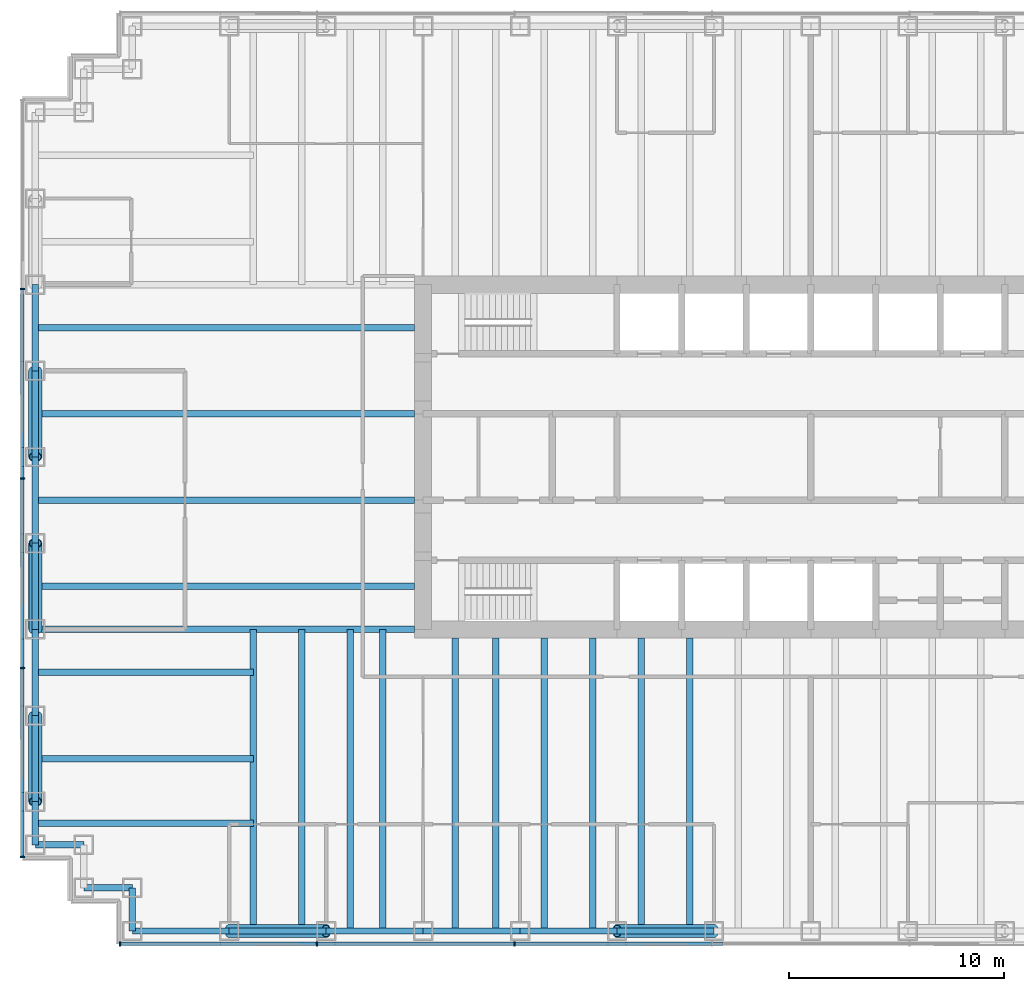
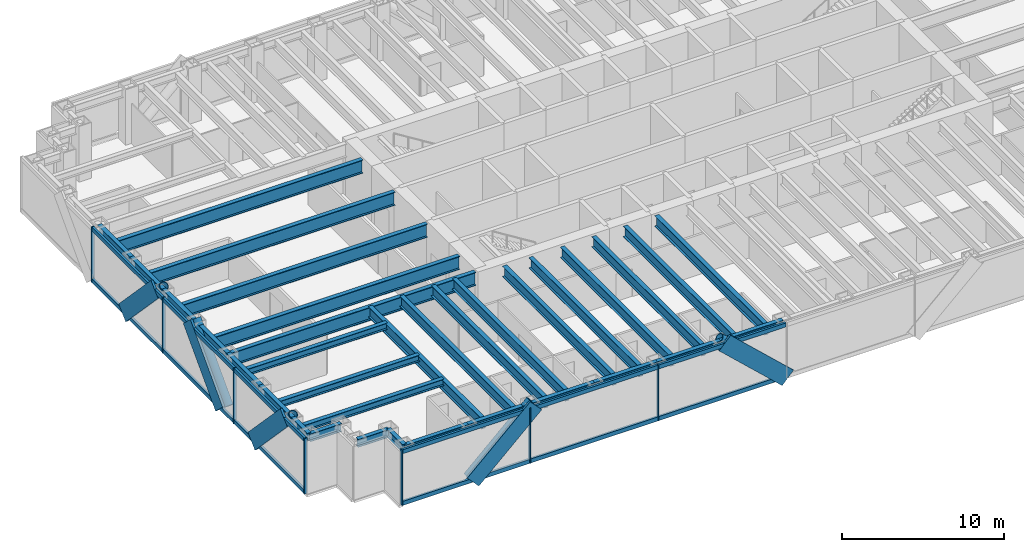
# One storey, part 2 of 15: 34 beams, 29 members, 2 elements without a shape of their own.
"""IFC4 building model written with IfcOpenShell, lengths in metres."""

import ifcopenshell
import ifcopenshell.guid

model = None  # the IFC model being written
_history = None  # IfcOwnerHistory: only IFC2X3 demands one
_inside = {}  # id of a spatial element -> (the spatial element, [elements in it])
_under = {}  # id of a project, library or spatial element -> (it, [spatial elements below it])
_declared = {}  # id of a project -> (the project, [libraries it declares])
_typed = {}  # id of a type object -> (the type object, [elements of that type])
_made_of = {}  # id of a material, layer set ... -> (it, [elements and type objects made of it])


def new_model(schema):
    """Start an empty IFC model of exactly this schema.

    Asked for "IFC4X3", IfcOpenShell would pick the latest addendum, in which some entities
    have other attributes; the version numbers below select the first issue.
    IFC2X3 requires an IfcOwnerHistory on every rooted entity: one is made here for all.
    """
    global model, _history
    if schema == "IFC4X3":
        model = ifcopenshell.file(schema_version=(4, 3, 0, 0))
    else:
        model = ifcopenshell.file(schema=schema)
    _inside.clear()
    _under.clear()
    _declared.clear()
    _typed.clear()
    _made_of.clear()
    _history = None
    if model.schema == "IFC2X3":
        org = make("IfcOrganization", Name="unknown")
        user = make(
            "IfcPersonAndOrganization",
            ThePerson=make("IfcPerson", FamilyName="unknown"),
            TheOrganization=org,
        )
        app = make(
            "IfcApplication",
            ApplicationDeveloper=org,
            Version="unknown",
            ApplicationFullName="unknown",
            ApplicationIdentifier="unknown",
        )
        _history = make(
            "IfcOwnerHistory",
            OwningUser=user,
            OwningApplication=app,
            ChangeAction="ADDED",
            CreationDate=0,
        )
    return model


def make(cls, **values):
    """One entity of the class cls with the attributes given. An attribute that is None is left unset."""
    return model.create_entity(
        cls, **{name: value for name, value in values.items() if value is not None}
    )


def rooted(cls, **values):
    """An entity with a GlobalId (a new one), such as an element, a storey or a relation."""
    return make(cls, GlobalId=ifcopenshell.guid.new(), OwnerHistory=_history, **values)


def si_unit(unit_type, name, prefix=None):
    """IfcSIUnit, for example si_unit("LENGTHUNIT", "METRE", prefix="MILLI")."""
    return make("IfcSIUnit", UnitType=unit_type, Prefix=prefix, Name=name)


def assignment(units):
    """IfcUnitAssignment: the units of a project."""
    return None if units is None else make("IfcUnitAssignment", Units=units)


def point(xyz):
    """IfcCartesianPoint."""
    return None if xyz is None else make("IfcCartesianPoint", Coordinates=xyz)


def direction(xyz):
    """IfcDirection."""
    return None if xyz is None else make("IfcDirection", DirectionRatios=xyz)


def frame(location, z_axis=None, x_axis=None):
    """IfcAxis2Placement3D, a coordinate frame: its origin and axes. An axis left out is left unset."""
    return make(
        "IfcAxis2Placement3D",
        Location=point(location),
        Axis=direction(z_axis),
        RefDirection=direction(x_axis),
    )


def frame_2d(location, x_axis=None):
    """IfcAxis2Placement2D, a coordinate frame in the plane: its origin and x axis."""
    return make(
        "IfcAxis2Placement2D", Location=point(location), RefDirection=direction(x_axis)
    )


def origin():
    """The frame at (0, 0, 0) with its axes left unset."""
    return frame((0.0, 0.0, 0.0))


def origin_2d():
    """The frame at (0, 0) in the plane with its x axis left unset."""
    return frame_2d((0.0, 0.0))


def place(relative_to, where):
    """IfcLocalPlacement: puts the frame where relative to a parent placement (None: the world)."""
    return make(
        "IfcLocalPlacement", PlacementRelTo=relative_to, RelativePlacement=where
    )


def context(
    kind, dimensions, precision=None, world=None, true_north=None, identifier=None
):
    """IfcGeometricRepresentationContext, for example the 3D "Model" context."""
    return make(
        "IfcGeometricRepresentationContext",
        ContextIdentifier=identifier,
        ContextType=kind,
        CoordinateSpaceDimension=dimensions,
        Precision=precision,
        WorldCoordinateSystem=world,
        TrueNorth=true_north,
    )


def subcontext(parent, identifier, kind, view, scale=None):
    """IfcGeometricRepresentationSubContext, for example "Body" below "Model"."""
    return make(
        "IfcGeometricRepresentationSubContext",
        ContextIdentifier=identifier,
        ContextType=kind,
        ParentContext=parent,
        TargetScale=scale,
        TargetView=view,
    )


def project(units=None, contexts=None):
    """IfcProject with its units and contexts."""
    return rooted(
        "IfcProject",
        Name="project",
        RepresentationContexts=contexts,
        UnitsInContext=assignment(units),
    )


def spatial(cls, under=None, at=None, **own):
    """A site, building, storey or space (cls), placed at a placement, below another one or the project."""
    s = rooted(cls, ObjectPlacement=at, **own)
    if under is not None:
        _under.setdefault(under.id(), (under, []))[1].append(s)
    return s


def profile(cls, at=None, kind="AREA", **sizes):
    """A parametric profile (cls). Its sizes go by their IFC names, for example OverallWidth=200.0."""
    return make(cls, ProfileType=kind, Position=at, **sizes)


def rectangle(**sizes):
    """IfcRectangleProfileDef."""
    return profile("IfcRectangleProfileDef", **sizes)


def hollow_circle(**sizes):
    """IfcCircleHollowProfileDef."""
    return profile("IfcCircleHollowProfileDef", **sizes)


def i_section(**sizes):
    """IfcIShapeProfileDef."""
    return profile("IfcIShapeProfileDef", **sizes)


def extrude(swept, where, along, depth):
    """IfcExtrudedAreaSolid: the profile swept, set in the frame where, extruded along a direction by depth."""
    return make(
        "IfcExtrudedAreaSolid",
        SweptArea=swept,
        Position=where,
        ExtrudedDirection=direction(along),
        Depth=depth,
    )


def shape(context_of_items, identifier, shape_type, items):
    """IfcShapeRepresentation: the items that make up one representation, for example the "Body"."""
    return make(
        "IfcShapeRepresentation",
        ContextOfItems=context_of_items,
        RepresentationIdentifier=identifier,
        RepresentationType=shape_type,
        Items=items,
    )


def material(Name=None, Category=None):
    """IfcMaterial."""
    return make("IfcMaterial", Name=Name, Category=Category)


def material_profile(
    of_material, cross_section, Name=None, Category=None, Priority=None
):
    """IfcMaterialProfile: a cross section and its material."""
    return make(
        "IfcMaterialProfile",
        Name=Name,
        Material=of_material,
        Profile=cross_section,
        Priority=Priority,
        Category=Category,
    )


def profile_set(profiles, Name=None, composite=None):
    """IfcMaterialProfileSet."""
    return make(
        "IfcMaterialProfileSet",
        Name=Name,
        MaterialProfiles=profiles,
        CompositeProfile=composite,
    )


def made_of(thing, what):
    """Note that an element or type object is made of a material, layer set ...; save() writes the relation."""
    if what is not None:
        _made_of.setdefault(what.id(), (what, []))[1].append(thing)
    return thing


def type_object(cls, material=None, **own):
    """A type object (cls), such as IfcWallType, which elements share."""
    return made_of(rooted(cls, **own), material)


def element(
    cls,
    number,
    at=None,
    inside=None,
    cuts=None,
    type_object=None,
    material=None,
    context=None,
    identifier="Body",
    shape_type=None,
    held_by="IfcProductDefinitionShape",
    body=None,
    shapes=None,
    **own,
):
    """One element of the class cls, such as IfcWall. Its Tag is "e" and its number.

    at: its placement. inside: the storey or other place that contains it. cuts: it is an
    opening in that element (IfcRelVoidsElement). A single representation is given by context,
    identifier, shape_type and body (its items); several are given by shapes. held_by: the class
    of the entity that holds the representations. save() writes the other relations.
    """
    e = rooted(cls, Tag="e%d" % number, ObjectPlacement=at, **own)
    if body is not None:
        shapes = [shape(context, identifier, shape_type, body)]
    if shapes is not None:
        e.Representation = make(held_by, Representations=shapes)
    if inside is not None:
        _inside.setdefault(inside.id(), (inside, []))[1].append(e)
    if cuts is not None:
        rooted(
            "IfcRelVoidsElement", RelatingBuildingElement=cuts, RelatedOpeningElement=e
        )
    if type_object is not None:
        _typed.setdefault(type_object.id(), (type_object, []))[1].append(e)
    return made_of(e, material)


def aggregate(whole, parts):
    """IfcRelAggregates: a whole, such as a stair, and the parts it consists of."""
    return rooted("IfcRelAggregates", RelatingObject=whole, RelatedObjects=parts)


def save(model, path):
    """Write the relations noted so far, then the file.

    IfcRelAggregates (storeys below a building ...), IfcRelContainedInSpatialStructure (elements
    in a storey), IfcRelDefinesByType, IfcRelAssociatesMaterial and IfcRelDeclares: one each for
    every whole, place, type object, material and project.
    """
    for whole, parts in _under.values():
        aggregate(whole, parts)
    for where, things in _inside.values():
        rooted(
            "IfcRelContainedInSpatialStructure",
            RelatedElements=things,
            RelatingStructure=where,
        )
    for kind, things in _typed.values():
        rooted("IfcRelDefinesByType", RelatedObjects=things, RelatingType=kind)
    for what, things in _made_of.values():
        rooted("IfcRelAssociatesMaterial", RelatedObjects=things, RelatingMaterial=what)
    for by, libraries in _declared.values():
        rooted("IfcRelDeclares", RelatingContext=by, RelatedDefinitions=libraries)
    model.write(path)


model = new_model("IFC4")

# Units and contexts
model_context = context("Model", 3, precision=1e-05, world=origin(), true_north=direction((0.0, 1.0)))
body_context = subcontext(model_context, "Body", "Model", "MODEL_VIEW")
ifc_project = project(units=[si_unit("LENGTHUNIT", "METRE"), si_unit("AREAUNIT", "SQUARE_METRE"), si_unit("VOLUMEUNIT", "CUBIC_METRE"), si_unit("PLANEANGLEUNIT", "RADIAN"), si_unit("MASSUNIT", "GRAM", prefix="KILO")], contexts=[model_context])

# Site, building, storey
site_placement = place(None, origin())
site = spatial("IfcSite", under=ifc_project, at=site_placement, CompositionType="ELEMENT")
building_placement = place(site_placement, origin())
building = spatial("IfcBuilding", under=site, at=building_placement, Name="Rheinbord Bourse Tower", CompositionType="ELEMENT")
storey_placement = place(building_placement, frame((0.0, 0.0, 248.800048828125)))
storey = spatial("IfcBuildingStorey", under=building, at=storey_placement, Name="L56", CompositionType="ELEMENT", Elevation=248.800048828125)

# Curtain wall, members
ifc_material_1 = material(Name="Dark glass and black aluminium", Category="aluminium")
curtain_wall_type = type_object("IfcCurtainWallType", Name="CW2 DARK GLASS CURTAIN WALL", PredefinedType="USERDEFINED", material=ifc_material_1)
curtain_wall_1_placement = place(storey_placement, origin())
curtain_wall_1 = element("IfcCurtainWall", 1, at=curtain_wall_1_placement, inside=storey, type_object=curtain_wall_type, Name="Curtain wall CW2 S L56", ObjectType="UNITISED CURTAIN WALL", PredefinedType="USERDEFINED")
ifc_material_2 = material(Name="Black anodised aluminium", Category="aluminium")
ifc_material_profile_1 = material_profile(ifc_material_2, rectangle(XDim=0.159912109375, YDim=1.2099609375, at=origin_2d()), Name="CW2 DIAGONAL MULLION 1210x160")
ifc_profile_set_1 = profile_set([ifc_material_profile_1], Name="Black anodised aluminium")
member_type_1 = type_object("IfcMemberType", Name="CW2 BLACK DIAGONAL MULLION", PredefinedType="USERDEFINED", material=ifc_profile_set_1)
member_1_placement = place(storey_placement, frame((9.0, 1.39990234375, 0.0), z_axis=(0.73105922506, 0.0, 0.682314010889), x_axis=(0.0, 1.0, 0.0)))
member_1 = element("IfcMember", 2, at=member_1_placement, type_object=member_type_1, Name="CW2 diagonal mullion a", ObjectType="DIAGONAL MULLION", PredefinedType="USERDEFINED", context=body_context, shape_type="SweptSolid", body=[
    extrude(rectangle(XDim=0.159912109375, YDim=1.2099609375, at=origin_2d()), origin(), (0.0, 0.0, 1.0), 6.155517578125),
])
member_2_placement = place(storey_placement, frame((31.5, 1.39990234375, 0.0), z_axis=(-0.73105922506, 0.0, 0.682314010889), x_axis=(0.0, -1.0, 0.0)))
member_2 = element("IfcMember", 3, at=member_2_placement, type_object=member_type_1, Name="CW2 diagonal mullion d", ObjectType="DIAGONAL MULLION", PredefinedType="USERDEFINED", context=body_context, shape_type="SweptSolid", body=[
    extrude(rectangle(XDim=0.159912109375, YDim=1.2099609375, at=origin_2d()), origin(), (0.0, 0.0, 1.0), 6.155517578125),
])

curtain_wall_2_placement = place(storey_placement, origin())
curtain_wall_2 = element("IfcCurtainWall", 4, at=curtain_wall_2_placement, inside=storey, type_object=curtain_wall_type, Name="Curtain wall CW2 W L56", ObjectType="UNITISED CURTAIN WALL", PredefinedType="USERDEFINED")
member_3_placement = place(storey_placement, frame((-0.60009765625, 16.0, 0.0), z_axis=(0.0, 0.689659376744, 0.724133926887), x_axis=(-1.0, 0.0, 0.0)))
member_3 = element("IfcMember", 5, at=member_3_placement, type_object=member_type_1, Name="CW2 diagonal mullion a", ObjectType="DIAGONAL MULLION", PredefinedType="USERDEFINED", context=body_context, shape_type="SweptSolid", body=[
    extrude(rectangle(XDim=0.159912109375, YDim=1.2099609375, at=origin_2d()), origin(), (0.0, 0.0, 1.0), 5.800048828125),
])
member_4_placement = place(storey_placement, frame((-0.60009765625, 28.0, 0.0), z_axis=(0.0, -0.689659376744, 0.724133926887), x_axis=(1.0, 0.0, 0.0)))
member_4 = element("IfcMember", 6, at=member_4_placement, type_object=member_type_1, Name="CW2 diagonal mullion b", ObjectType="DIAGONAL MULLION", PredefinedType="USERDEFINED", context=body_context, shape_type="SweptSolid", body=[
    extrude(rectangle(XDim=0.159912109375, YDim=1.2099609375, at=origin_2d()), origin(), (0.0, 0.0, 1.0), 5.800048828125),
])
member_5_placement = place(storey_placement, frame((-0.60009765625, 12.0, 0.0), z_axis=(0.0, -0.689659376744, 0.724133926887), x_axis=(1.0, 0.0, 0.0)))
member_5 = element("IfcMember", 7, at=member_5_placement, type_object=member_type_1, Name="CW2 diagonal mullion d", ObjectType="DIAGONAL MULLION", PredefinedType="USERDEFINED", context=body_context, shape_type="SweptSolid", body=[
    extrude(rectangle(XDim=0.159912109375, YDim=1.2099609375, at=origin_2d()), origin(), (0.0, 0.0, 1.0), 5.800048828125),
])

# Member
ifc_material_3 = material(Name="Black anodised aluminium", Category="aluminium")
ifc_material_profile_2 = material_profile(ifc_material_3, rectangle(XDim=0.219970703125, YDim=0.070068359375, at=origin_2d()), Name="CW2 MULLION 70x220")
ifc_profile_set_2 = profile_set([ifc_material_profile_2], Name="Black anodised aluminium")
member_type_2 = type_object("IfcMemberType", Name="CW2 BLACK MULLION", PredefinedType="MULLION", material=ifc_profile_set_2)
member_6_placement = place(storey_placement, frame((3.93505859375, 1.39990234375, 0.0), z_axis=(0.0, 0.0, 1.0), x_axis=(0.0, 1.0, 0.0)))
member_6 = element("IfcMember", 8, at=member_6_placement, type_object=member_type_2, Name="CW2 mullion 1", PredefinedType="MULLION", context=body_context, shape_type="SweptSolid", body=[
    extrude(rectangle(XDim=0.219970703125, YDim=0.070068359375, at=origin_2d()), origin(), (0.0, 0.0, 1.0), 4.199951171875),
])

member_7_placement = place(storey_placement, frame((13.071533203125, 1.39990234375, 0.0), z_axis=(0.0, 0.0, 1.0), x_axis=(0.0, 1.0, 0.0)))
member_7 = element("IfcMember", 9, at=member_7_placement, type_object=member_type_2, Name="CW2 mullion 2", PredefinedType="MULLION", context=body_context, shape_type="SweptSolid", body=[
    extrude(rectangle(XDim=0.219970703125, YDim=0.070068359375, at=origin_2d()), origin(), (0.0, 0.0, 1.0), 4.199951171875),
])

member_8_placement = place(storey_placement, frame((22.242919921875, 1.39990234375, 0.0), z_axis=(0.0, 0.0, 1.0), x_axis=(0.0, 1.0, 0.0)))
member_8 = element("IfcMember", 10, at=member_8_placement, type_object=member_type_2, Name="CW2 mullion 3", PredefinedType="MULLION", context=body_context, shape_type="SweptSolid", body=[
    extrude(rectangle(XDim=0.219970703125, YDim=0.070068359375, at=origin_2d()), origin(), (0.0, 0.0, 1.0), 4.199951171875),
])

member_9_placement = place(storey_placement, frame((-0.60009765625, 31.800048828125, 0.0), z_axis=(0.0, 0.0, 1.0), x_axis=(1.0, 0.0, 0.0)))
member_9 = element("IfcMember", 11, at=member_9_placement, type_object=member_type_2, Name="CW2 mullion 2", PredefinedType="MULLION", context=body_context, shape_type="SweptSolid", body=[
    extrude(rectangle(XDim=0.219970703125, YDim=0.070068359375, at=origin_2d()), origin(), (0.0, 0.0, 1.0), 4.199951171875),
])

member_10_placement = place(storey_placement, frame((-0.60009765625, 23.0, 0.0), z_axis=(0.0, 0.0, 1.0), x_axis=(1.0, 0.0, 0.0)))
member_10 = element("IfcMember", 12, at=member_10_placement, type_object=member_type_2, Name="CW2 mullion 3", PredefinedType="MULLION", context=body_context, shape_type="SweptSolid", body=[
    extrude(rectangle(XDim=0.219970703125, YDim=0.070068359375, at=origin_2d()), origin(), (0.0, 0.0, 1.0), 4.199951171875),
])

member_11_placement = place(storey_placement, frame((-0.60009765625, 14.199951171875, 0.0), z_axis=(0.0, 0.0, 1.0), x_axis=(1.0, 0.0, 0.0)))
member_11 = element("IfcMember", 13, at=member_11_placement, type_object=member_type_2, Name="CW2 mullion 4", PredefinedType="MULLION", context=body_context, shape_type="SweptSolid", body=[
    extrude(rectangle(XDim=0.219970703125, YDim=0.070068359375, at=origin_2d()), origin(), (0.0, 0.0, 1.0), 4.199951171875),
])

member_12_placement = place(storey_placement, frame((-0.60009765625, 5.43505859375, 0.0), z_axis=(0.0, 0.0, 1.0), x_axis=(1.0, 0.0, 0.0)))
member_12 = element("IfcMember", 14, at=member_12_placement, type_object=member_type_2, Name="CW2 mullion 5", PredefinedType="MULLION", context=body_context, shape_type="SweptSolid", body=[
    extrude(rectangle(XDim=0.219970703125, YDim=0.070068359375, at=origin_2d()), origin(), (0.0, 0.0, 1.0), 4.199951171875),
])

ifc_material_4 = material(Name="Black anodised aluminium", Category="aluminium")
ifc_material_profile_3 = material_profile(ifc_material_4, rectangle(XDim=0.159912109375, YDim=0.300048828125, at=origin_2d()), Name="CW2 TRANSOM 300x160")
ifc_profile_set_3 = profile_set([ifc_material_profile_3], Name="Black anodised aluminium")
member_type_3 = type_object("IfcMemberType", Name="CW2 BLACK TRANSOM", PredefinedType="USERDEFINED", material=ifc_profile_set_3)
member_13_placement = place(storey_placement, frame((3.969970703125, 1.39990234375, 0.14990234375), z_axis=(1.0, 0.0, 0.0), x_axis=(0.0, 1.0, 0.0)))
member_13 = element("IfcMember", 15, at=member_13_placement, type_object=member_type_3, Name="CW2 transom 1.1", ObjectType="TRANSOM", PredefinedType="USERDEFINED", context=body_context, shape_type="SweptSolid", body=[
    extrude(rectangle(XDim=0.159912109375, YDim=0.300048828125, at=origin_2d()), origin(), (0.0, 0.0, 1.0), 9.06640625),
])

member_14_placement = place(storey_placement, frame((3.969970703125, 1.39990234375, 4.050048828125), z_axis=(1.0, 0.0, 0.0), x_axis=(0.0, 1.0, 0.0)))
member_14 = element("IfcMember", 16, at=member_14_placement, type_object=member_type_3, Name="CW2 transom 1.2", ObjectType="TRANSOM", PredefinedType="USERDEFINED", context=body_context, shape_type="SweptSolid", body=[
    extrude(rectangle(XDim=0.159912109375, YDim=0.300048828125, at=origin_2d()), origin(), (0.0, 0.0, 1.0), 9.06640625),
])

member_15_placement = place(storey_placement, frame((13.1064453125, 1.39990234375, 0.14990234375), z_axis=(1.0, 0.0, 0.0), x_axis=(0.0, 1.0, 0.0)))
member_15 = element("IfcMember", 17, at=member_15_placement, type_object=member_type_3, Name="CW2 transom 2.1", ObjectType="TRANSOM", PredefinedType="USERDEFINED", context=body_context, shape_type="SweptSolid", body=[
    extrude(rectangle(XDim=0.159912109375, YDim=0.300048828125, at=origin_2d()), origin(), (0.0, 0.0, 1.0), 9.101318359375),
])

member_16_placement = place(storey_placement, frame((13.1064453125, 1.39990234375, 4.050048828125), z_axis=(1.0, 0.0, 0.0), x_axis=(0.0, 1.0, 0.0)))
member_16 = element("IfcMember", 18, at=member_16_placement, type_object=member_type_3, Name="CW2 transom 2.2", ObjectType="TRANSOM", PredefinedType="USERDEFINED", context=body_context, shape_type="SweptSolid", body=[
    extrude(rectangle(XDim=0.159912109375, YDim=0.300048828125, at=origin_2d()), origin(), (0.0, 0.0, 1.0), 9.101318359375),
])

member_17_placement = place(storey_placement, frame((22.27783203125, 1.39990234375, 0.14990234375), z_axis=(1.0, 0.0, 0.0), x_axis=(0.0, 1.0, 0.0)))
member_17 = element("IfcMember", 19, at=member_17_placement, type_object=member_type_3, Name="CW2 transom 3.1", ObjectType="TRANSOM", PredefinedType="USERDEFINED", context=body_context, shape_type="SweptSolid", body=[
    extrude(rectangle(XDim=0.159912109375, YDim=0.300048828125, at=origin_2d()), origin(), (0.0, 0.0, 1.0), 9.1015625),
])

member_18_placement = place(storey_placement, frame((22.27783203125, 1.39990234375, 4.050048828125), z_axis=(1.0, 0.0, 0.0), x_axis=(0.0, 1.0, 0.0)))
member_18 = element("IfcMember", 20, at=member_18_placement, type_object=member_type_3, Name="CW2 transom 3.2", ObjectType="TRANSOM", PredefinedType="USERDEFINED", context=body_context, shape_type="SweptSolid", body=[
    extrude(rectangle(XDim=0.159912109375, YDim=0.300048828125, at=origin_2d()), origin(), (0.0, 0.0, 1.0), 9.1015625),
])

aggregate(curtain_wall_1, [member_6, member_7, member_8, member_13, member_14, member_15, member_16, member_17, member_18, member_1, member_2])

member_19_placement = place(storey_placement, frame((-0.60009765625, 31.764892578125, 0.14990234375), z_axis=(0.0, -1.0, 0.0), x_axis=(1.0, 0.0, 0.0)))
member_19 = element("IfcMember", 21, at=member_19_placement, type_object=member_type_3, Name="CW2 transom 2.1", ObjectType="TRANSOM", PredefinedType="USERDEFINED", context=body_context, shape_type="SweptSolid", body=[
    extrude(rectangle(XDim=0.159912109375, YDim=0.300048828125, at=origin_2d()), origin(), (0.0, 0.0, 1.0), 8.72998046875),
])

member_20_placement = place(storey_placement, frame((-0.60009765625, 31.764892578125, 4.050048828125), z_axis=(0.0, -1.0, 0.0), x_axis=(1.0, 0.0, 0.0)))
member_20 = element("IfcMember", 22, at=member_20_placement, type_object=member_type_3, Name="CW2 transom 2.2", ObjectType="TRANSOM", PredefinedType="USERDEFINED", context=body_context, shape_type="SweptSolid", body=[
    extrude(rectangle(XDim=0.159912109375, YDim=0.300048828125, at=origin_2d()), origin(), (0.0, 0.0, 1.0), 8.72998046875),
])

member_21_placement = place(storey_placement, frame((-0.60009765625, 22.965087890625, 0.14990234375), z_axis=(0.0, -1.0, 0.0), x_axis=(1.0, 0.0, 0.0)))
member_21 = element("IfcMember", 23, at=member_21_placement, type_object=member_type_3, Name="CW2 transom 3.1", ObjectType="TRANSOM", PredefinedType="USERDEFINED", context=body_context, shape_type="SweptSolid", body=[
    extrude(rectangle(XDim=0.159912109375, YDim=0.300048828125, at=origin_2d()), origin(), (0.0, 0.0, 1.0), 8.72998046875),
])

member_22_placement = place(storey_placement, frame((-0.60009765625, 22.965087890625, 4.050048828125), z_axis=(0.0, -1.0, 0.0), x_axis=(1.0, 0.0, 0.0)))
member_22 = element("IfcMember", 24, at=member_22_placement, type_object=member_type_3, Name="CW2 transom 3.2", ObjectType="TRANSOM", PredefinedType="USERDEFINED", context=body_context, shape_type="SweptSolid", body=[
    extrude(rectangle(XDim=0.159912109375, YDim=0.300048828125, at=origin_2d()), origin(), (0.0, 0.0, 1.0), 8.72998046875),
])

member_23_placement = place(storey_placement, frame((-0.60009765625, 14.1650390625, 0.14990234375), z_axis=(0.0, -1.0, 0.0), x_axis=(1.0, 0.0, 0.0)))
member_23 = element("IfcMember", 25, at=member_23_placement, type_object=member_type_3, Name="CW2 transom 4.1", ObjectType="TRANSOM", PredefinedType="USERDEFINED", context=body_context, shape_type="SweptSolid", body=[
    extrude(rectangle(XDim=0.159912109375, YDim=0.300048828125, at=origin_2d()), origin(), (0.0, 0.0, 1.0), 8.695068359375),
])

member_24_placement = place(storey_placement, frame((-0.60009765625, 14.1650390625, 4.050048828125), z_axis=(0.0, -1.0, 0.0), x_axis=(1.0, 0.0, 0.0)))
member_24 = element("IfcMember", 26, at=member_24_placement, type_object=member_type_3, Name="CW2 transom 4.2", ObjectType="TRANSOM", PredefinedType="USERDEFINED", context=body_context, shape_type="SweptSolid", body=[
    extrude(rectangle(XDim=0.159912109375, YDim=0.300048828125, at=origin_2d()), origin(), (0.0, 0.0, 1.0), 8.695068359375),
])

aggregate(curtain_wall_2, [member_9, member_10, member_11, member_12, member_19, member_20, member_21, member_22, member_23, member_24, member_3, member_4, member_5])

# Beams
ifc_material_5 = material(Name="Steel S460", Category="steel")
ifc_material_profile_4 = material_profile(ifc_material_5, i_section(OverallWidth=0.302001953125, OverallDepth=1.008056640625, WebThickness=0.02099609375, FlangeThickness=0.0400390625, at=origin_2d()), Name="HEM 1000")
ifc_profile_set_4 = profile_set([ifc_material_profile_4], Name="Steel S460")
beam_type_1 = type_object("IfcBeamType", Name="END BEAM HEM 1000", PredefinedType="BEAM", material=ifc_profile_set_4)
for number, where, z_axis, x_axis, name in (
    (27, (0.0, 18.0, 3.535888671875), (1.0, 0.0, 0.0), (0.0, 1.0, 0.0), "End beam west 18 L57"),
    (28, (0.0, 22.0, 3.535888671875), (1.0, 0.0, 0.0), (0.0, 1.0, 0.0), "End beam west 22 L57"),
    (29, (0.0, 26.0, 3.535888671875), (1.0, 0.0, 0.0), (0.0, 1.0, 0.0), "End beam west 26 L57"),
    (30, (0.0, 30.0, 3.535888671875), (1.0, 0.0, 0.0), (0.0, 1.0, 0.0), "End beam west 30 L57"),
):
    element("IfcBeam", number, at=place(storey_placement, frame(where, z_axis=z_axis, x_axis=x_axis)), inside=storey, type_object=beam_type_1, Name=name, PredefinedType="BEAM", context=body_context, shape_type="SweptSolid", body=[
        extrude(i_section(OverallWidth=0.302001953125, OverallDepth=1.008056640625, WebThickness=0.02099609375, FlangeThickness=0.0400390625, at=origin_2d()), origin(), (0.0, 0.0, 1.0), 17.60009765625),
    ])
ifc_material_6 = material(Name="Steel S460", Category="steel")
ifc_material_profile_5 = material_profile(ifc_material_6, i_section(OverallWidth=0.300048828125, OverallDepth=0.800048828125, WebThickness=0.017578125, FlangeThickness=0.032958984375, at=origin_2d()), Name="HEB 800")
ifc_profile_set_5 = profile_set([ifc_material_profile_5], Name="Steel S460")
beam_type_2 = type_object("IfcBeamType", Name="FLOOR BEAM HEB 800", PredefinedType="BEAM", material=ifc_profile_set_5)
for number, where, z_axis, x_axis, name in (
    (31, (10.125, 2.0, 3.639892578125), (0.0, 1.0, 0.0), (-1.0, 0.0, 0.0), "Floor beam S-9a L57"),
    (32, (12.375, 2.0, 3.639892578125), (0.0, 1.0, 0.0), (-1.0, 0.0, 0.0), "Floor beam S-9b L57"),
    (33, (14.625, 2.0, 3.639892578125), (0.0, 1.0, 0.0), (-1.0, 0.0, 0.0), "Floor beam S-13.5a L57"),
    (34, (16.125, 2.0, 3.639892578125), (0.0, 1.0, 0.0), (-1.0, 0.0, 0.0), "Floor beam S-13.5b L57"),
):
    element("IfcBeam", number, at=place(storey_placement, frame(where, z_axis=z_axis, x_axis=x_axis)), inside=storey, type_object=beam_type_2, Name=name, PredefinedType="BEAM", context=body_context, shape_type="SweptSolid", body=[
        extrude(i_section(OverallWidth=0.300048828125, OverallDepth=0.800048828125, WebThickness=0.017578125, FlangeThickness=0.032958984375, at=origin_2d()), origin(), (0.0, 0.0, 1.0), 14.0),
    ])
for number, where, z_axis, x_axis, name in (
    (35, (19.5, 2.0, 3.639892578125), (0.0, 1.0, 0.0), (-1.0, 0.0, 0.0), "Floor beam S-18a L57"),
    (36, (21.375, 2.0, 3.639892578125), (0.0, 1.0, 0.0), (-1.0, 0.0, 0.0), "Floor beam S-18b L57"),
    (37, (23.625, 2.0, 3.639892578125), (0.0, 1.0, 0.0), (-1.0, 0.0, 0.0), "Floor beam S-22.5a L57"),
    (38, (25.875, 2.0, 3.639892578125), (0.0, 1.0, 0.0), (-1.0, 0.0, 0.0), "Floor beam S-22.5b L57"),
    (39, (28.125, 2.0, 3.639892578125), (0.0, 1.0, 0.0), (-1.0, 0.0, 0.0), "Floor beam S-27a L57"),
    (40, (30.375, 2.0, 3.639892578125), (0.0, 1.0, 0.0), (-1.0, 0.0, 0.0), "Floor beam S-27b L57"),
):
    element("IfcBeam", number, at=place(storey_placement, frame(where, z_axis=z_axis, x_axis=x_axis)), inside=storey, type_object=beam_type_2, Name=name, PredefinedType="BEAM", context=body_context, shape_type="SweptSolid", body=[
        extrude(i_section(OverallWidth=0.300048828125, OverallDepth=0.800048828125, WebThickness=0.017578125, FlangeThickness=0.032958984375, at=origin_2d()), origin(), (0.0, 0.0, 1.0), 13.60009765625),
    ])
ifc_material_7 = material(Name="Steel S460", Category="steel")
ifc_material_profile_6 = material_profile(ifc_material_7, i_section(OverallWidth=0.302001953125, OverallDepth=1.008056640625, WebThickness=0.02099609375, FlangeThickness=0.0400390625, at=origin_2d()), Name="HEM 1000")
ifc_profile_set_6 = profile_set([ifc_material_profile_6], Name="Steel S460")
beam_type_3 = type_object("IfcBeamType", Name="GIRDER HEM 1000", PredefinedType="BEAM", material=ifc_profile_set_6)
beam_1_placement = place(storey_placement, frame((0.0, 16.0, 3.535888671875), z_axis=(1.0, 0.0, 0.0), x_axis=(0.0, 1.0, 0.0)))
element("IfcBeam", 41, at=beam_1_placement, inside=storey, type_object=beam_type_3, Name="Girder west 16 L57", PredefinedType="BEAM", context=body_context, shape_type="SweptSolid", body=[
    extrude(i_section(OverallWidth=0.302001953125, OverallDepth=1.008056640625, WebThickness=0.02099609375, FlangeThickness=0.0400390625, at=origin_2d()), origin(), (0.0, 0.0, 1.0), 17.60009765625),
])

# Members
ifc_material_8 = material(Name="Steel S460", Category="steel")
ifc_material_profile_7 = material_profile(ifc_material_8, hollow_circle(Radius=0.304931640625, WallThickness=0.0400390625, at=origin_2d()), Name="CHS 610x40")
ifc_profile_set_7 = profile_set([ifc_material_profile_7], Name="Steel S460")
member_type_4 = type_object("IfcMemberType", Name="MEGABRACE CHS 610x40", PredefinedType="BRACE", material=ifc_profile_set_7)
for number, where, z_axis, x_axis, name in (
    (42, (9.0, 2.0, 0.0), (0.73105922506, 0.0, 0.682314010889), (0.0, 1.0, 0.0), "Megabrace S face line a L56"),
    (43, (31.5, 2.0, 0.0), (-0.73105922506, 0.0, 0.682314010889), (0.0, -1.0, 0.0), "Megabrace S face line d L56"),
):
    element("IfcMember", number, at=place(storey_placement, frame(where, z_axis=z_axis, x_axis=x_axis)), inside=storey, type_object=member_type_4, Name=name, PredefinedType="BRACE", context=body_context, shape_type="SweptSolid", body=[
        extrude(hollow_circle(Radius=0.304931640625, WallThickness=0.0400390625, at=origin_2d()), origin(), (0.0, 0.0, 1.0), 6.155517578125),
    ])
for number, where, z_axis, x_axis, name in (
    (44, (0.0, 16.0, 0.0), (0.0, 0.689659376744, 0.724133926887), (-1.0, 0.0, 0.0), "Megabrace W face line a L56"),
    (45, (0.0, 28.0, 0.0), (0.0, -0.689659376744, 0.724133926887), (1.0, 0.0, 0.0), "Megabrace W face line b L56"),
    (46, (0.0, 12.0, 0.0), (0.0, -0.689659376744, 0.724133926887), (1.0, 0.0, 0.0), "Megabrace W face line d L56"),
):
    element("IfcMember", number, at=place(storey_placement, frame(where, z_axis=z_axis, x_axis=x_axis)), inside=storey, type_object=member_type_4, Name=name, PredefinedType="BRACE", context=body_context, shape_type="SweptSolid", body=[
        extrude(hollow_circle(Radius=0.304931640625, WallThickness=0.0400390625, at=origin_2d()), origin(), (0.0, 0.0, 1.0), 5.800048828125),
    ])

# Beams
ifc_material_9 = material(Name="Steel S460", Category="steel")
ifc_material_profile_8 = material_profile(ifc_material_9, i_section(OverallWidth=0.300048828125, OverallDepth=0.60009765625, WebThickness=0.015380859375, FlangeThickness=0.030029296875, at=origin_2d()), Name="HEB 600")
ifc_profile_set_8 = profile_set([ifc_material_profile_8], Name="Steel S460")
beam_type_4 = type_object("IfcBeamType", Name="SPANDREL HEB 600", PredefinedType="SPANDREL", material=ifc_profile_set_8)
for number, where, z_axis, x_axis, name in (
    (47, (4.5, 2.0, 3.739990234375), (1.0, 0.0, 0.0), (0.0, 1.0, 0.0), "Spandrel SW-E-S-9 under L57"),
    (48, (9.0, 2.0, 3.739990234375), (1.0, 0.0, 0.0), (0.0, 1.0, 0.0), "Spandrel S-9-S-13.5 under L57"),
    (49, (13.5, 2.0, 3.739990234375), (1.0, 0.0, 0.0), (0.0, 1.0, 0.0), "Spandrel S-13.5-S-18 under L57"),
    (50, (18.0, 2.0, 3.739990234375), (1.0, 0.0, 0.0), (0.0, 1.0, 0.0), "Spandrel S-18-S-22.5 under L57"),
    (51, (22.5, 2.0, 3.739990234375), (1.0, 0.0, 0.0), (0.0, 1.0, 0.0), "Spandrel S-22.5-S-27 under L57"),
    (52, (27.0, 2.0, 3.739990234375), (1.0, 0.0, 0.0), (0.0, 1.0, 0.0), "Spandrel S-27-S-31.5 under L57"),
):
    element("IfcBeam", number, at=place(storey_placement, frame(where, z_axis=z_axis, x_axis=x_axis)), inside=storey, type_object=beam_type_4, Name=name, PredefinedType="SPANDREL", context=body_context, shape_type="SweptSolid", body=[
        extrude(i_section(OverallWidth=0.300048828125, OverallDepth=0.60009765625, WebThickness=0.015380859375, FlangeThickness=0.030029296875, at=origin_2d()), origin(), (0.0, 0.0, 1.0), 4.5),
    ])
for number, where, z_axis, x_axis, name in (
    (53, (0.0, 32.0, 3.739990234375), (0.0, -1.0, 0.0), (1.0, 0.0, 0.0), "Spandrel W-32-W-28 under L57"),
    (54, (0.0, 28.0, 3.739990234375), (0.0, -1.0, 0.0), (1.0, 0.0, 0.0), "Spandrel W-28-W-24 under L57"),
    (55, (0.0, 24.0, 3.739990234375), (0.0, -1.0, 0.0), (1.0, 0.0, 0.0), "Spandrel W-24-W-20 under L57"),
    (56, (0.0, 20.0, 3.739990234375), (0.0, -1.0, 0.0), (1.0, 0.0, 0.0), "Spandrel W-20-W-16 under L57"),
    (57, (0.0, 16.0, 3.739990234375), (0.0, -1.0, 0.0), (1.0, 0.0, 0.0), "Spandrel W-16-W-12 under L57"),
    (58, (0.0, 12.0, 3.739990234375), (0.0, -1.0, 0.0), (1.0, 0.0, 0.0), "Spandrel W-12-W-8 under L57"),
):
    element("IfcBeam", number, at=place(storey_placement, frame(where, z_axis=z_axis, x_axis=x_axis)), inside=storey, type_object=beam_type_4, Name=name, PredefinedType="SPANDREL", context=body_context, shape_type="SweptSolid", body=[
        extrude(i_section(OverallWidth=0.300048828125, OverallDepth=0.60009765625, WebThickness=0.015380859375, FlangeThickness=0.030029296875, at=origin_2d()), origin(), (0.0, 0.0, 1.0), 4.0),
    ])
beam_2_placement = place(storey_placement, frame((0.0, 8.0, 3.739990234375), z_axis=(0.0, -1.0, 0.0), x_axis=(1.0, 0.0, 0.0)))
element("IfcBeam", 59, at=beam_2_placement, inside=storey, type_object=beam_type_4, Name="Spandrel W-8-SW-A under L57", PredefinedType="SPANDREL", context=body_context, shape_type="SweptSolid", body=[
    extrude(i_section(OverallWidth=0.300048828125, OverallDepth=0.60009765625, WebThickness=0.015380859375, FlangeThickness=0.030029296875, at=origin_2d()), origin(), (0.0, 0.0, 1.0), 2.0),
])
for number, where, z_axis, x_axis, name in (
    (60, (0.0, 6.0, 3.739990234375), (1.0, 0.0, 0.0), (0.0, 1.0, 0.0), "Spandrel SW-A-SW-B under L57"),
    (61, (2.25, 4.0, 3.739990234375), (1.0, 0.0, 0.0), (0.0, 1.0, 0.0), "Spandrel SW-C-SW-D under L57"),
):
    element("IfcBeam", number, at=place(storey_placement, frame(where, z_axis=z_axis, x_axis=x_axis)), inside=storey, type_object=beam_type_4, Name=name, PredefinedType="SPANDREL", context=body_context, shape_type="SweptSolid", body=[
        extrude(i_section(OverallWidth=0.300048828125, OverallDepth=0.60009765625, WebThickness=0.015380859375, FlangeThickness=0.030029296875, at=origin_2d()), origin(), (0.0, 0.0, 1.0), 2.25),
    ])
beam_3_placement = place(storey_placement, frame((4.5, 4.0, 3.739990234375), z_axis=(0.0, -1.0, 0.0), x_axis=(1.0, 0.0, 0.0)))
element("IfcBeam", 62, at=beam_3_placement, inside=storey, type_object=beam_type_4, Name="Spandrel SW-D-SW-E under L57", PredefinedType="SPANDREL", context=body_context, shape_type="SweptSolid", body=[
    extrude(i_section(OverallWidth=0.300048828125, OverallDepth=0.60009765625, WebThickness=0.015380859375, FlangeThickness=0.030029296875, at=origin_2d()), origin(), (0.0, 0.0, 1.0), 2.0),
])
ifc_material_10 = material(Name="Steel S460", Category="steel")
ifc_material_profile_9 = material_profile(ifc_material_10, i_section(OverallWidth=0.300048828125, OverallDepth=0.5, WebThickness=0.014404296875, FlangeThickness=0.028076171875, at=origin_2d()), Name="HEB 500")
ifc_profile_set_9 = profile_set([ifc_material_profile_9], Name="Steel S460")
beam_type_5 = type_object("IfcBeamType", Name="TIE BEAM HEB 500", PredefinedType="JOIST", material=ifc_profile_set_9)
for number, where, z_axis, x_axis, name in (
    (63, (0.0, 7.0, 3.7900390625), (1.0, 0.0, 0.0), (0.0, 1.0, 0.0), "Tie west 7 L57"),
    (64, (0.0, 10.0, 3.7900390625), (1.0, 0.0, 0.0), (0.0, 1.0, 0.0), "Tie west 10 L57"),
    (65, (0.0, 14.0, 3.7900390625), (1.0, 0.0, 0.0), (0.0, 1.0, 0.0), "Tie west 14 L57"),
):
    element("IfcBeam", number, at=place(storey_placement, frame(where, z_axis=z_axis, x_axis=x_axis)), inside=storey, type_object=beam_type_5, Name=name, PredefinedType="JOIST", context=body_context, shape_type="SweptSolid", body=[
        extrude(i_section(OverallWidth=0.300048828125, OverallDepth=0.5, WebThickness=0.014404296875, FlangeThickness=0.028076171875, at=origin_2d()), origin(), (0.0, 0.0, 1.0), 10.125),
    ])

save(model, "model.ifc")
